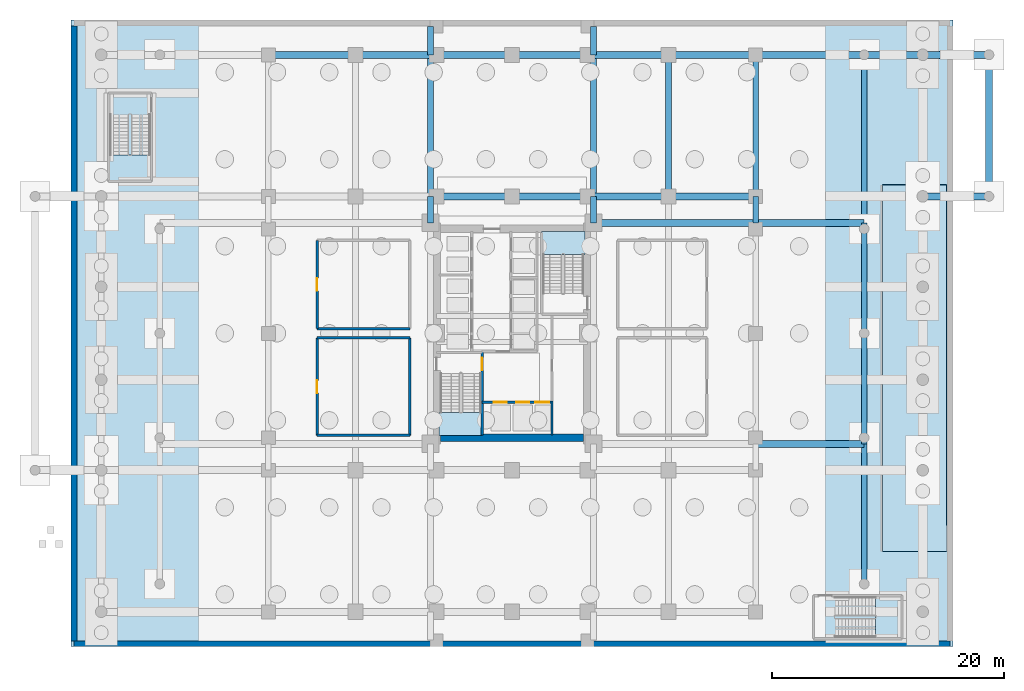
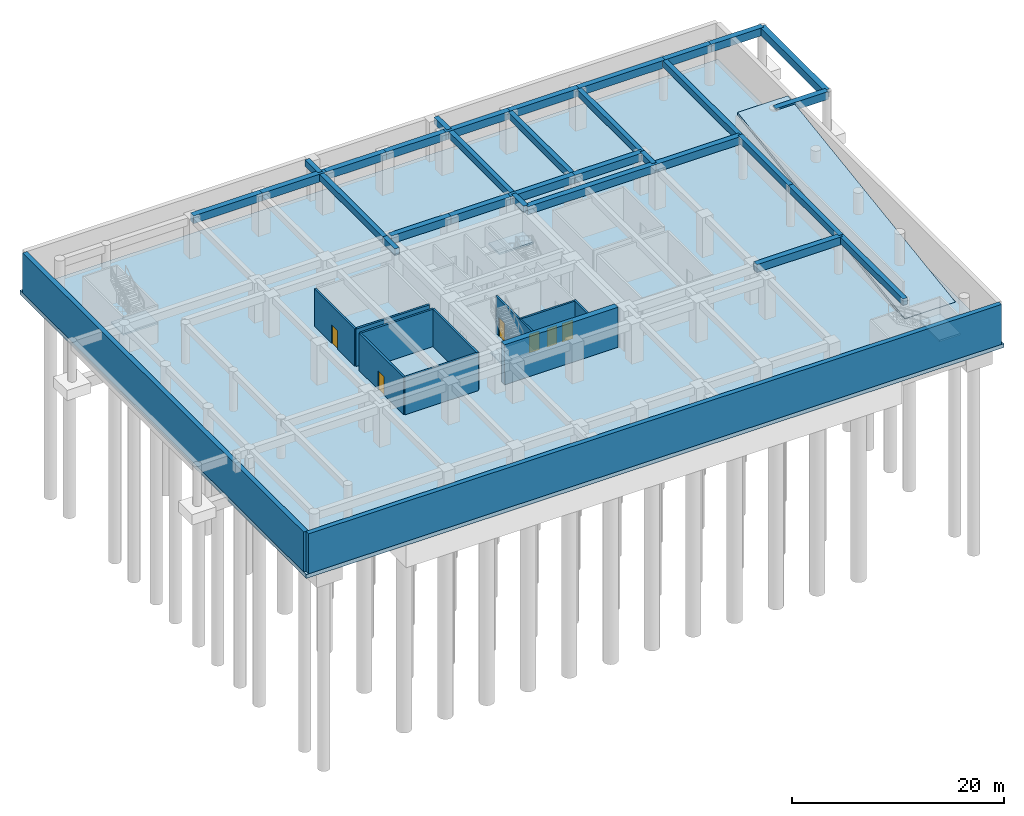
# One storey, part 3 of 14: 31 beams, 12 walls, 6 doors, 6 slabs, 6 openings, 4 elements without a shape of their own.
"""IFC4 building model written with IfcOpenShell, lengths in metres."""

from ifc_helpers import new_model, si_unit, direction, frame, frame_2d, origin, origin_2d, place, context, subcontext, project, spatial, polyline, rectangle, outline, extrude, source, transform, mapped, material, layer, layer_set, material_profile, profile_set, type_object, element, fill, aggregate, save


model = new_model("IFC4")

# Units and contexts
model_context = context("Model", 3, precision=1e-05, world=origin(), true_north=direction((0.0, 1.0)))
body_context = subcontext(model_context, "Body", "Model", "MODEL_VIEW")
ifc_project = project(units=[si_unit("LENGTHUNIT", "METRE"), si_unit("AREAUNIT", "SQUARE_METRE"), si_unit("VOLUMEUNIT", "CUBIC_METRE"), si_unit("PLANEANGLEUNIT", "RADIAN"), si_unit("MASSUNIT", "GRAM", prefix="KILO")], contexts=[model_context])

# Site, building, storey
site_placement = place(None, origin())
site = spatial("IfcSite", under=ifc_project, at=site_placement, CompositionType="ELEMENT")
building_placement = place(site_placement, origin())
building = spatial("IfcBuilding", under=site, at=building_placement, Name="Saelheon Loggia Tower", CompositionType="ELEMENT")
storey_placement = place(building_placement, frame((0.0, 0.0, -9.199951171875)))
storey = spatial("IfcBuildingStorey", under=building, at=storey_placement, Name="B2", CompositionType="ELEMENT", Elevation=-9.199951171875)

# Beams
ifc_material_1 = material(Name="Concrete C50/60", Category="concrete")
ifc_material_profile_1 = material_profile(ifc_material_1, rectangle(XDim=0.60009765625, YDim=0.89990234375, at=origin_2d()), Name="RC-600x900")
ifc_profile_set_1 = profile_set([ifc_material_profile_1], Name="Concrete C50/60")
beam_type_1 = type_object("IfcBeamType", Name="Beam_PorticoSub_RC600x900", PredefinedType="BEAM", material=ifc_profile_set_1)
shared_shape_1 = source(origin(), body_context, "Body", "SweptSolid", [
    extrude(rectangle(XDim=0.60009765625, YDim=0.89990234375, at=origin_2d()), origin(), (0.0, 0.0, 1.0), 5.7001953125),
])
for number, where, z_axis, x_axis, name in (
    (1, (73.39990234375, 38.800048828125, 4.14990234375), (1.0, 0.0, 0.0), (0.0, 1.0, 0.0), "BM-B2-PRTE-S"),
    (2, (73.39990234375, 51.0, 4.14990234375), (1.0, 0.0, 0.0), (0.0, 1.0, 0.0), "BM-B2-PRTE-N"),
):
    element("IfcBeam", number, at=place(storey_placement, frame(where, z_axis=z_axis, x_axis=x_axis)), inside=storey, type_object=beam_type_1, Name=name, PredefinedType="BEAM", context=body_context, shape_type="MappedRepresentation", body=[
        mapped(shared_shape_1, transform((0.0, 0.0, 0.0), scale=1.0)),
    ])
shared_shape_2 = source(origin(), body_context, "Body", "SweptSolid", [
    extrude(rectangle(XDim=0.60009765625, YDim=0.89990234375, at=origin_2d()), origin(), (0.0, 0.0, 1.0), 12.199951171875),
])
beam_1_placement = place(storey_placement, frame((79.10009765625, 38.800048828125, 4.14990234375), z_axis=(0.0, 1.0, 0.0), x_axis=(-1.0, 0.0, 0.0)))
element("IfcBeam", 3, at=beam_1_placement, inside=storey, type_object=beam_type_1, Name="BM-B2-PRTE-E", PredefinedType="BEAM", context=body_context, shape_type="MappedRepresentation", body=[
    mapped(shared_shape_2, transform((0.0, 0.0, 0.0), scale=1.0)),
])
ifc_material_profile_2 = material_profile(ifc_material_1, rectangle(XDim=0.60009765625, YDim=0.89990234375, at=origin_2d()), Name="RC-600x900")
ifc_profile_set_2 = profile_set([ifc_material_profile_2], Name="Concrete C50/60")
beam_type_2 = type_object("IfcBeamType", Name="Beam_MainGirder_RC600x900", PredefinedType="BEAM", material=ifc_profile_set_2)
shared_shape_3 = source(origin(), body_context, "Body", "SweptSolid", [
    extrude(rectangle(XDim=0.60009765625, YDim=0.89990234375, at=origin_2d()), origin(), (0.0, 0.0, 1.0), 7.5),
])
for number, where, z_axis, x_axis, name in (
    (4, (51.5, 38.800048828125, 4.14990234375), (1.0, 0.0, 0.0), (0.0, 1.0, 0.0), "BM-B2-EW-38-7"),
    (5, (17.0, 51.0, 4.14990234375), (1.0, 0.0, 0.0), (0.0, 1.0, 0.0), "BM-B2-EW-51-3"),
    (6, (51.5, 51.0, 4.14990234375), (1.0, 0.0, 0.0), (0.0, 1.0, 0.0), "BM-B2-EW-51-8"),
):
    element("IfcBeam", number, at=place(storey_placement, frame(where, z_axis=z_axis, x_axis=x_axis)), inside=storey, type_object=beam_type_2, Name=name, PredefinedType="BEAM", context=body_context, shape_type="MappedRepresentation", body=[
        mapped(shared_shape_3, transform((0.0, 0.0, 0.0), scale=1.0)),
    ])
shared_shape_4 = source(origin(), body_context, "Body", "SweptSolid", [
    extrude(rectangle(XDim=0.60009765625, YDim=0.89990234375, at=origin_2d()), origin(), (0.0, 0.0, 1.0), 7.0),
])
for number, where, z_axis, x_axis, name in (
    (7, (44.5, 38.800048828125, 4.14990234375), (1.0, 0.0, 0.0), (0.0, 1.0, 0.0), "BM-B2-EW-38-6"),
    (8, (24.5, 51.0, 4.14990234375), (1.0, 0.0, 0.0), (0.0, 1.0, 0.0), "BM-B2-EW-51-4"),
    (9, (44.5, 51.0, 4.14990234375), (1.0, 0.0, 0.0), (0.0, 1.0, 0.0), "BM-B2-EW-51-7"),
):
    element("IfcBeam", number, at=place(storey_placement, frame(where, z_axis=z_axis, x_axis=x_axis)), inside=storey, type_object=beam_type_2, Name=name, PredefinedType="BEAM", context=body_context, shape_type="MappedRepresentation", body=[
        mapped(shared_shape_4, transform((0.0, 0.0, 0.0), scale=1.0)),
    ])
shared_shape_5 = source(origin(), body_context, "Body", "SweptSolid", [
    extrude(rectangle(XDim=0.60009765625, YDim=0.89990234375, at=origin_2d()), origin(), (0.0, 0.0, 1.0), 6.5),
])
for number, where, z_axis, x_axis, name in (
    (10, (31.5, 38.800048828125, 4.14990234375), (1.0, 0.0, 0.0), (0.0, 1.0, 0.0), "BM-B2-EW-38-4"),
    (11, (38.0, 38.800048828125, 4.14990234375), (1.0, 0.0, 0.0), (0.0, 1.0, 0.0), "BM-B2-EW-38-5"),
    (12, (31.5, 51.0, 4.14990234375), (1.0, 0.0, 0.0), (0.0, 1.0, 0.0), "BM-B2-EW-51-5"),
    (13, (38.0, 51.0, 4.14990234375), (1.0, 0.0, 0.0), (0.0, 1.0, 0.0), "BM-B2-EW-51-6"),
):
    element("IfcBeam", number, at=place(storey_placement, frame(where, z_axis=z_axis, x_axis=x_axis)), inside=storey, type_object=beam_type_2, Name=name, PredefinedType="BEAM", context=body_context, shape_type="MappedRepresentation", body=[
        mapped(shared_shape_5, transform((0.0, 0.0, 0.0), scale=1.0)),
    ])
shared_shape_6 = source(origin(), body_context, "Body", "SweptSolid", [
    extrude(rectangle(XDim=0.60009765625, YDim=0.89990234375, at=origin_2d()), origin(), (0.0, 0.0, 1.0), 5.0498046875),
])
beam_2_placement = place(storey_placement, frame((68.35009765625, 51.0, 4.14990234375), z_axis=(1.0, 0.0, 0.0), x_axis=(0.0, 1.0, 0.0)))
element("IfcBeam", 14, at=beam_2_placement, inside=storey, type_object=beam_type_2, Name="BM-B2-EW-51-10", PredefinedType="BEAM", context=body_context, shape_type="MappedRepresentation", body=[
    mapped(shared_shape_6, transform((0.0, 0.0, 0.0), scale=1.0)),
])
shared_shape_7 = source(origin(), body_context, "Body", "SweptSolid", [
    extrude(rectangle(XDim=0.60009765625, YDim=0.89990234375, at=origin_2d()), origin(), (0.0, 0.0, 1.0), 9.35009765625),
])
for number, where, z_axis, x_axis, name in (
    (15, (59.0, 51.0, 4.14990234375), (1.0, 0.0, 0.0), (0.0, 1.0, 0.0), "BM-B2-EW-51-9"),
    (16, (59.0, 17.47998046875, 4.14990234375), (1.0, 0.0, 0.0), (0.0, 1.0, 0.0), "BM-B2-CT-17-E1"),
    (17, (59.0, 36.52001953125, 4.14990234375), (1.0, 0.0, 0.0), (0.0, 1.0, 0.0), "BM-B2-CT-36-E1"),
):
    element("IfcBeam", number, at=place(storey_placement, frame(where, z_axis=z_axis, x_axis=x_axis)), inside=storey, type_object=beam_type_2, Name=name, PredefinedType="BEAM", context=body_context, shape_type="MappedRepresentation", body=[
        mapped(shared_shape_7, transform((0.0, 0.0, 0.0), scale=1.0)),
    ])
shared_shape_8 = source(origin(), body_context, "Body", "SweptSolid", [
    extrude(rectangle(XDim=0.60009765625, YDim=0.89990234375, at=origin_2d()), origin(), (0.0, 0.0, 1.0), 13.97998046875),
])
beam_3_placement = place(storey_placement, frame((45.02001953125, 36.52001953125, 4.14990234375), z_axis=(1.0, 0.0, 0.0), x_axis=(0.0, 1.0, 0.0)))
element("IfcBeam", 18, at=beam_3_placement, inside=storey, type_object=beam_type_2, Name="BM-B2-CT-36-E2", PredefinedType="BEAM", context=body_context, shape_type="MappedRepresentation", body=[
    mapped(shared_shape_8, transform((0.0, 0.0, 0.0), scale=1.0)),
])
ifc_material_2 = material(Name="Concrete C45/55", Category="concrete")
ifc_material_profile_3 = material_profile(ifc_material_2, rectangle(XDim=0.5, YDim=0.75, at=origin_2d()), Name="RC-500x750")
ifc_profile_set_3 = profile_set([ifc_material_profile_3], Name="Concrete C45/55")
beam_type_3 = type_object("IfcBeamType", Name="Beam_FloorGirder_RC500x750", PredefinedType="BEAM", material=ifc_profile_set_3)
shared_shape_9 = source(origin(), body_context, "Body", "SweptSolid", [
    extrude(rectangle(XDim=0.5, YDim=0.75, at=origin_2d()), origin(), (0.0, 0.0, 1.0), 12.199951171875),
])
for number, where, z_axis, x_axis, name in (
    (19, (30.97998046875, 38.800048828125, 4.224853515625), (0.0, 1.0, 0.0), (-1.0, 0.0, 0.0), "BM-B2-NS-30-6"),
    (20, (45.02001953125, 38.800048828125, 4.224853515625), (0.0, 1.0, 0.0), (-1.0, 0.0, 0.0), "BM-B2-NS-45-6"),
    (21, (51.5, 38.800048828125, 4.224853515625), (0.0, 1.0, 0.0), (-1.0, 0.0, 0.0), "BM-B2-NS-51-3"),
    (22, (59.0, 38.800048828125, 4.224853515625), (0.0, 1.0, 0.0), (-1.0, 0.0, 0.0), "BM-B2-NS-59-6"),
):
    element("IfcBeam", number, at=place(storey_placement, frame(where, z_axis=z_axis, x_axis=x_axis)), inside=storey, type_object=beam_type_3, Name=name, PredefinedType="BEAM", context=body_context, shape_type="MappedRepresentation", body=[
        mapped(shared_shape_9, transform((0.0, 0.0, 0.0), scale=1.0)),
    ])
shared_shape_10 = source(origin(), body_context, "Body", "SweptSolid", [
    extrude(rectangle(XDim=0.5, YDim=0.75, at=origin_2d()), origin(), (0.0, 0.0, 1.0), 12.080078125),
])
beam_4_placement = place(storey_placement, frame((68.35009765625, 5.39990234375, 4.224853515625), z_axis=(0.0, 1.0, 0.0), x_axis=(-1.0, 0.0, 0.0)))
element("IfcBeam", 23, at=beam_4_placement, inside=storey, type_object=beam_type_3, Name="BM-B2-NS-68-1", PredefinedType="BEAM", context=body_context, shape_type="MappedRepresentation", body=[
    mapped(shared_shape_10, transform((0.0, 0.0, 0.0), scale=1.0)),
])
shared_shape_11 = source(origin(), body_context, "Body", "SweptSolid", [
    extrude(rectangle(XDim=0.5, YDim=0.75, at=origin_2d()), origin(), (0.0, 0.0, 1.0), 9.52001953125),
])
for number, where, z_axis, x_axis, name in (
    (24, (68.35009765625, 17.47998046875, 4.224853515625), (0.0, 1.0, 0.0), (-1.0, 0.0, 0.0), "BM-B2-NS-68-2"),
    (25, (68.35009765625, 27.0, 4.224853515625), (0.0, 1.0, 0.0), (-1.0, 0.0, 0.0), "BM-B2-NS-68-3"),
):
    element("IfcBeam", number, at=place(storey_placement, frame(where, z_axis=z_axis, x_axis=x_axis)), inside=storey, type_object=beam_type_3, Name=name, PredefinedType="BEAM", context=body_context, shape_type="MappedRepresentation", body=[
        mapped(shared_shape_11, transform((0.0, 0.0, 0.0), scale=1.0)),
    ])
shared_shape_12 = source(origin(), body_context, "Body", "SweptSolid", [
    extrude(rectangle(XDim=0.5, YDim=0.75, at=origin_2d()), origin(), (0.0, 0.0, 1.0), 2.280029296875),
])
for number, where, z_axis, x_axis, name in (
    (26, (30.97998046875, 36.52001953125, 4.224853515625), (0.0, 1.0, 0.0), (-1.0, 0.0, 0.0), "BM-B2-NS-30-5"),
    (27, (45.02001953125, 36.52001953125, 4.224853515625), (0.0, 1.0, 0.0), (-1.0, 0.0, 0.0), "BM-B2-NS-45-5"),
    (28, (59.0, 36.52001953125, 4.224853515625), (0.0, 1.0, 0.0), (-1.0, 0.0, 0.0), "BM-B2-NS-59-5"),
):
    element("IfcBeam", number, at=place(storey_placement, frame(where, z_axis=z_axis, x_axis=x_axis)), inside=storey, type_object=beam_type_3, Name=name, PredefinedType="BEAM", context=body_context, shape_type="MappedRepresentation", body=[
        mapped(shared_shape_12, transform((0.0, 0.0, 0.0), scale=1.0)),
    ])
shared_shape_13 = source(origin(), body_context, "Body", "SweptSolid", [
    extrude(rectangle(XDim=0.5, YDim=0.75, at=origin_2d()), origin(), (0.0, 0.0, 1.0), 2.449951171875),
])
for number, where, z_axis, x_axis, name in (
    (29, (30.97998046875, 51.0, 4.224853515625), (0.0, 1.0, 0.0), (-1.0, 0.0, 0.0), "BM-B2-NS-30-7"),
    (30, (45.02001953125, 51.0, 4.224853515625), (0.0, 1.0, 0.0), (-1.0, 0.0, 0.0), "BM-B2-NS-45-7"),
):
    element("IfcBeam", number, at=place(storey_placement, frame(where, z_axis=z_axis, x_axis=x_axis)), inside=storey, type_object=beam_type_3, Name=name, PredefinedType="BEAM", context=body_context, shape_type="MappedRepresentation", body=[
        mapped(shared_shape_13, transform((0.0, 0.0, 0.0), scale=1.0)),
    ])
shared_shape_14 = source(origin(), body_context, "Body", "SweptSolid", [
    extrude(rectangle(XDim=0.5, YDim=0.75, at=origin_2d()), origin(), (0.0, 0.0, 1.0), 14.47998046875),
])
beam_5_placement = place(storey_placement, frame((68.35009765625, 36.52001953125, 4.224853515625), z_axis=(0.0, 1.0, 0.0), x_axis=(-1.0, 0.0, 0.0)))
element("IfcBeam", 31, at=beam_5_placement, inside=storey, type_object=beam_type_3, Name="BM-B2-NS-68-4", PredefinedType="BEAM", context=body_context, shape_type="MappedRepresentation", body=[
    mapped(shared_shape_14, transform((0.0, 0.0, 0.0), scale=1.0)),
])

# Slabs
ifc_material_3 = material(Name="Concrete C40/50", Category="concrete")
ifc_layer_1 = layer(ifc_material_3, 0.449951171875)
ifc_layer_set_1 = layer_set([ifc_layer_1], Name="Concrete C40/50")
slab_type_1 = type_object("IfcSlabType", Name="Slab_Base_450", PredefinedType="BASESLAB", material=ifc_layer_set_1)
slab_1_placement = place(storey_placement, frame((0.0, 0.0, -0.449951171875)))
element("IfcSlab", 32, at=slab_1_placement, inside=storey, type_object=slab_type_1, Name="B2 Basement Structural Slab", PredefinedType="BASESLAB", context=body_context, shape_type="SweptSolid", body=[
    extrude(outline(polyline([(0.0, 0.0), (76.0, 0.0), (76.0, 54.0), (0.0, 54.0), (0.0, 0.0)]), holes=[polyline([(69.929931640625, 8.219970703125), (75.469970703125, 8.219970703125), (75.469970703125, 10.449951171875), (69.929931640625, 10.449951171875), (69.929931640625, 8.219970703125)])]), origin(), (0.0, 0.0, 1.0), 0.449951171875),
])
ifc_layer_2 = layer(ifc_material_3, 0.300048828125)
ifc_layer_set_2 = layer_set([ifc_layer_2], Name="Concrete C40/50")
slab_type_2 = type_object("IfcSlabType", Name="Slab_Ramp_Veh_300", PredefinedType="FLOOR", material=ifc_layer_set_2)
slab_2_placement = place(storey_placement, frame((69.949951171875, 8.199951171875, 0.0), z_axis=(0.0, -0.14404643209, 0.98957092995), x_axis=(1.0, 0.0, 0.0)))
element("IfcSlab", 33, at=slab_2_placement, inside=storey, type_object=slab_type_2, Name="R1 Vehicle Ramp Structural Slab", PredefinedType="FLOOR", context=body_context, shape_type="SweptSolid", body=[
    extrude(outline(polyline([(0.0, 0.0), (5.5, 0.0), (5.5, 31.93313051126908), (0.0, 31.93313051126908), (0.0, 0.0)])), origin(), (0.0, 0.0, -1.0), 0.300048828125),
])

# Stair, slab
stair_type_1 = type_object("IfcStairType", Name="Stair_Escape_Core", PredefinedType="HALF_TURN_STAIR", material=ifc_material_3)
stair_1_placement = place(storey_placement, origin())
stair_1 = element("IfcStair", 34, at=stair_1_placement, inside=storey, type_object=stair_type_1, Name="B2 Special Escape Stair ST1", PredefinedType="HALF_TURN_STAIR")
ifc_layer_3 = layer(ifc_material_3, 0.199951171875)
ifc_layer_set_3 = layer_set([ifc_layer_3], Name="Concrete C40/50")
slab_type_3 = type_object("IfcSlabType", Name="Slab_StairLanding_ST1", PredefinedType="LANDING", material=ifc_layer_set_3)
slab_3_placement = place(storey_placement, frame((0.0, 0.0, 2.099853515625)))
slab_3 = element("IfcSlab", 35, at=slab_3_placement, type_object=slab_type_3, Name="ST1 landing 1", PredefinedType="LANDING", context=body_context, shape_type="SweptSolid", body=[
    extrude(outline(polyline([(31.7099609375, 20.18994140625), (31.7099609375, 18.2099609375), (35.469970703125, 18.2099609375), (35.469970703125, 20.18994140625), (31.7099609375, 20.18994140625)])), origin(), (0.0, 0.0, 1.0), 0.2001953125),
])
aggregate(stair_1, [slab_3])

stair_2_placement = place(storey_placement, origin())
stair_2 = element("IfcStair", 36, at=stair_2_placement, inside=storey, type_object=stair_type_1, Name="B2 Special Escape Stair ST2", PredefinedType="HALF_TURN_STAIR")
ifc_layer_4 = layer(ifc_material_3, 0.199951171875)
ifc_layer_set_4 = layer_set([ifc_layer_4], Name="Concrete C40/50")
slab_type_4 = type_object("IfcSlabType", Name="Slab_StairLanding_ST2", PredefinedType="LANDING", material=ifc_layer_set_4)
slab_4_placement = place(storey_placement, frame((0.0, 0.0, 2.099853515625)))
slab_4 = element("IfcSlab", 37, at=slab_4_placement, type_object=slab_type_4, Name="ST2 landing 1", PredefinedType="LANDING", context=body_context, shape_type="SweptSolid", body=[
    extrude(outline(polyline([(44.2900390625, 33.81005859375), (44.2900390625, 35.7900390625), (40.530029296875, 35.7900390625), (40.530029296875, 33.81005859375), (44.2900390625, 33.81005859375)])), origin(), (0.0, 0.0, 1.0), 0.2001953125),
])
aggregate(stair_2, [slab_4])

stair_type_2 = type_object("IfcStairType", Name="Stair_Escape_Podium", PredefinedType="HALF_TURN_STAIR", material=ifc_material_3)
stair_3_placement = place(storey_placement, origin())
stair_3 = element("IfcStair", 38, at=stair_3_placement, inside=storey, type_object=stair_type_2, Name="B2 Podium Escape Stair ST3", PredefinedType="HALF_TURN_STAIR")
ifc_layer_5 = layer(ifc_material_3, 0.199951171875)
ifc_layer_set_5 = layer_set([ifc_layer_5], Name="Concrete C40/50")
slab_type_5 = type_object("IfcSlabType", Name="Slab_StairLanding_ST3", PredefinedType="LANDING", material=ifc_layer_set_5)
slab_5_placement = place(storey_placement, frame((0.0, 0.0, 2.099853515625)))
slab_5 = element("IfcSlab", 39, at=slab_5_placement, type_object=slab_type_5, Name="ST3 landing 1", PredefinedType="LANDING", context=body_context, shape_type="SweptSolid", body=[
    extrude(outline(polyline([(3.2099609375, 42.3701171875), (3.2099609375, 40.06005859375), (6.969970703125, 40.06005859375), (6.969970703125, 42.3701171875), (3.2099609375, 42.3701171875)])), origin(), (0.0, 0.0, 1.0), 0.2001953125),
])
aggregate(stair_3, [slab_5])

stair_4_placement = place(storey_placement, origin())
stair_4 = element("IfcStair", 40, at=stair_4_placement, inside=storey, type_object=stair_type_2, Name="B2 Podium Escape Stair ST4", PredefinedType="HALF_TURN_STAIR")
ifc_layer_6 = layer(ifc_material_3, 0.199951171875)
ifc_layer_set_6 = layer_set([ifc_layer_6], Name="Concrete C40/50")
slab_type_6 = type_object("IfcSlabType", Name="Slab_StairLanding_ST4", PredefinedType="LANDING", material=ifc_layer_set_6)
slab_6_placement = place(storey_placement, frame((0.0, 0.0, 2.099853515625)))
slab_6 = element("IfcSlab", 41, at=slab_6_placement, type_object=slab_type_6, Name="ST4 landing 1", PredefinedType="LANDING", context=body_context, shape_type="SweptSolid", body=[
    extrude(outline(polyline([(69.330078125, 0.659912109375), (71.639892578125, 0.659912109375), (71.639892578125, 4.419921875), (69.330078125, 4.419921875), (69.330078125, 0.659912109375)])), origin(), (0.0, 0.0, 1.0), 0.2001953125),
])
aggregate(stair_4, [slab_6])

# Walls
ifc_material_4 = material(Name="Concrete C60/75", Category="concrete")
ifc_layer_7 = layer(ifc_material_4, 0.64990234375)
ifc_layer_set_7 = layer_set([ifc_layer_7], Name="Concrete C60/75")
wall_type_1 = type_object("IfcWallType", Name="Wall_CoreShear_650", PredefinedType="SHEAR", material=ifc_layer_set_7)
wall_1_placement = place(storey_placement, frame((31.824951171875, 18.0, 0.0), z_axis=(0.0, 0.0, 1.0), x_axis=(1.0, 0.0, 0.0)))
element("IfcWall", 42, at=wall_1_placement, inside=storey, type_object=wall_type_1, Name="B2 Core Shear Wall South", PredefinedType="SHEAR", context=body_context, shape_type="SweptSolid", body=[
    extrude(rectangle(XDim=12.35009765625, YDim=0.64990234375, at=frame_2d((6.175048828125, 0.0))), origin(), (0.0, 0.0, 1.0), 4.599853515625),
])
ifc_layer_8 = layer(ifc_material_3, 0.219970703125)
ifc_layer_set_8 = layer_set([ifc_layer_8], Name="Concrete C40/50")
wall_type_2 = type_object("IfcWallType", Name="Wall_PlantBlock_220", PredefinedType="PARTITIONING", material=ifc_layer_set_8)
for number, where, z_axis, x_axis, name in (
    (43, (21.199951171875, 18.199951171875, 0.0), (0.0, 0.0, 1.0), (1.0, 0.0, 0.0), "B2 Central Chiller and Geothermal Plant Room South Wall"),
    (44, (21.199951171875, 26.60009765625, 0.0), (0.0, 0.0, 1.0), (1.0, 0.0, 0.0), "B2 Central Chiller and Geothermal Plant Room North Wall"),
):
    element("IfcWall", number, at=place(storey_placement, frame(where, z_axis=z_axis, x_axis=x_axis)), inside=storey, type_object=wall_type_2, Name=name, PredefinedType="PARTITIONING", context=body_context, shape_type="SweptSolid", body=[
        extrude(rectangle(XDim=8.0, YDim=0.219970703125, at=frame_2d((4.0, 0.0))), origin(), (0.0, 0.0, 1.0), 4.300048828125),
    ])

# Wall, opening, door
wall_2_placement = place(storey_placement, frame((21.199951171875, 18.199951171875, 0.0), z_axis=(0.0, 0.0, 1.0), x_axis=(0.0, 1.0, 0.0)))
wall_2 = element("IfcWall", 45, at=wall_2_placement, inside=storey, type_object=wall_type_2, Name="B2 Central Chiller and Geothermal Plant Room West Wall", PredefinedType="PARTITIONING", context=body_context, shape_type="SweptSolid", body=[
    extrude(rectangle(XDim=8.400146484375, YDim=0.219970703125, at=frame_2d((4.2001953125, 0.0))), origin(), (0.0, 0.0, 1.0), 4.300048828125),
])
opening_1_placement = place(wall_2_placement, frame((3.64990234375, 0.0, 0.0)))
opening_1 = element("IfcOpeningElement", 46, at=opening_1_placement, cuts=wall_2, Name="Opening D-FD2", PredefinedType="OPENING", context=body_context, shape_type="SweptSolid", body=[
    extrude(rectangle(XDim=1.10009765625, YDim=2.14990234375, at=frame_2d((0.550048828125, 1.074951171875))), frame((0.0, 0.1220703125, 0.0), z_axis=(0.0, -1.0, 0.0), x_axis=(1.0, 0.0, 0.0)), (0.0, 0.0, 1.0), 0.243896484375),
])
ifc_material_5 = material(Name="Galvanised Steel Fire Door", Category="steel")
door_type_1 = type_object("IfcDoorType", Name="Door_Fire_FD60_1100", OperationType="NOTDEFINED", PredefinedType="DOOR", material=ifc_material_5)
shared_shape_15 = source(origin(), body_context, "Body", "SweptSolid", [
    extrude(rectangle(XDim=1.10009765625, YDim=2.14990234375, at=frame_2d((0.550048828125, 1.074951171875))), frame((0.0, 0.02490234375, 0.0), z_axis=(0.0, -1.0, 0.0), x_axis=(1.0, 0.0, 0.0)), (0.0, 0.0, 1.0), 0.050048828125),
])
door_1_placement = place(opening_1_placement, origin())
door_1 = element("IfcDoor", 47, at=door_1_placement, inside=storey, type_object=door_type_1, Name="B2 Central Chiller and Geothermal Plant Room Door", OperationType="SINGLE_SWING_RIGHT", OverallHeight=2.14990234375, OverallWidth=1.10009765625, PredefinedType="DOOR", context=body_context, shape_type="MappedRepresentation", body=[
    mapped(shared_shape_15, transform((0.0, 0.0, 0.0), scale=1.0)),
])
fill(opening_1, door_1)

# Walls
wall_3_placement = place(storey_placement, frame((29.199951171875, 18.199951171875, 0.0), z_axis=(0.0, 0.0, 1.0), x_axis=(0.0, 1.0, 0.0)))
element("IfcWall", 48, at=wall_3_placement, inside=storey, type_object=wall_type_2, Name="B2 Central Chiller and Geothermal Plant Room East Wall", PredefinedType="PARTITIONING", context=body_context, shape_type="SweptSolid", body=[
    extrude(rectangle(XDim=8.400146484375, YDim=0.219970703125, at=frame_2d((4.2001953125, 0.0))), origin(), (0.0, 0.0, 1.0), 4.300048828125),
])
wall_4_placement = place(storey_placement, frame((21.199951171875, 27.39990234375, 0.0), z_axis=(0.0, 0.0, 1.0), x_axis=(1.0, 0.0, 0.0)))
element("IfcWall", 49, at=wall_4_placement, inside=storey, type_object=wall_type_2, Name="B2 Fire Sprinkler and Domestic Water Tank Room South Wall", PredefinedType="PARTITIONING", context=body_context, shape_type="SweptSolid", body=[
    extrude(rectangle(XDim=8.0, YDim=0.219970703125, at=frame_2d((4.0, 0.0))), origin(), (0.0, 0.0, 1.0), 4.300048828125),
])

# Wall, opening, door
wall_5_placement = place(storey_placement, frame((21.199951171875, 27.39990234375, 0.0), z_axis=(0.0, 0.0, 1.0), x_axis=(0.0, 1.0, 0.0)))
wall_5 = element("IfcWall", 50, at=wall_5_placement, inside=storey, type_object=wall_type_2, Name="B2 Fire Sprinkler and Domestic Water Tank Room West Wall", PredefinedType="PARTITIONING", context=body_context, shape_type="SweptSolid", body=[
    extrude(rectangle(XDim=7.60009765625, YDim=0.219970703125, at=frame_2d((3.800048828125, 0.0))), origin(), (0.0, 0.0, 1.0), 4.300048828125),
])
opening_2_placement = place(wall_5_placement, frame((3.25, 0.0, 0.0)))
opening_2 = element("IfcOpeningElement", 51, at=opening_2_placement, cuts=wall_5, Name="Opening D-FD2", PredefinedType="OPENING", context=body_context, shape_type="SweptSolid", body=[
    extrude(rectangle(XDim=1.10009765625, YDim=2.14990234375, at=frame_2d((0.550048828125, 1.074951171875))), frame((0.0, 0.1220703125, 0.0), z_axis=(0.0, -1.0, 0.0), x_axis=(1.0, 0.0, 0.0)), (0.0, 0.0, 1.0), 0.243896484375),
])
door_2_placement = place(opening_2_placement, origin())
door_2 = element("IfcDoor", 52, at=door_2_placement, inside=storey, type_object=door_type_1, Name="B2 Fire Sprinkler and Domestic Water Tank Room Door", OperationType="SINGLE_SWING_LEFT", OverallHeight=2.14990234375, OverallWidth=1.10009765625, PredefinedType="DOOR", context=body_context, shape_type="MappedRepresentation", body=[
    mapped(shared_shape_15, transform((0.0, 0.0, 0.0), scale=1.0)),
])
fill(opening_2, door_2)

# Walls
ifc_layer_9 = layer(ifc_material_3, 0.5)
ifc_layer_set_9 = layer_set([ifc_layer_9], Name="Concrete C40/50")
wall_type_3 = type_object("IfcWallType", Name="Wall_Retaining_500", PredefinedType="USERDEFINED", material=ifc_layer_set_9)
wall_6_placement = place(storey_placement, frame((0.25, 0.25, 0.0), z_axis=(0.0, 0.0, 1.0), x_axis=(1.0, 0.0, 0.0)))
element("IfcWall", 53, at=wall_6_placement, inside=storey, type_object=wall_type_3, Name="B2 Basement Retaining Wall S", ObjectType="RETAININGWALL", PredefinedType="USERDEFINED", context=body_context, shape_type="SweptSolid", body=[
    extrude(rectangle(XDim=75.5, YDim=0.5, at=frame_2d((37.75, 0.0))), origin(), (0.0, 0.0, 1.0), 4.599853515625),
])
wall_7_placement = place(storey_placement, frame((0.25, 53.5, 0.0), z_axis=(0.0, 0.0, 1.0), x_axis=(0.0, -1.0, 0.0)))
element("IfcWall", 54, at=wall_7_placement, inside=storey, type_object=wall_type_3, Name="B2 Basement Retaining Wall W", ObjectType="RETAININGWALL", PredefinedType="USERDEFINED", context=body_context, shape_type="SweptSolid", body=[
    extrude(rectangle(XDim=53.0, YDim=0.5, at=frame_2d((26.5, 0.0))), origin(), (0.0, 0.0, 1.0), 4.599853515625),
])
ifc_layer_10 = layer(ifc_material_3, 0.199951171875)
ifc_layer_set_10 = layer_set([ifc_layer_10], Name="Concrete C40/50")
wall_type_4 = type_object("IfcWallType", Name="Wall_Shaft_200", PredefinedType="PARTITIONING", material=ifc_layer_set_10)
wall_8_placement = place(storey_placement, frame((41.449951171875, 18.219970703125, 0.0), z_axis=(0.0, 0.0, 1.0), x_axis=(0.0, 1.0, 0.0)))
element("IfcWall", 55, at=wall_8_placement, inside=storey, type_object=wall_type_4, Name="CW-INT-B2-BOH-W0", PredefinedType="PARTITIONING", context=body_context, shape_type="SweptSolid", body=[
    extrude(rectangle(XDim=2.9599609375, YDim=0.199951171875, at=frame_2d((1.47998046875, 0.0))), origin(), (0.0, 0.0, 1.0), 4.300048828125),
])

# Wall, openings, doors
wall_9_placement = place(storey_placement, frame((35.429931640625, 21.06005859375, 0.0), z_axis=(0.0, 0.0, 1.0), x_axis=(1.0, 0.0, 0.0)))
wall_9 = element("IfcWall", 56, at=wall_9_placement, inside=storey, type_object=wall_type_4, Name="B2 Firefighting Lift Shaft Front Wall", PredefinedType="PARTITIONING", context=body_context, shape_type="SweptSolid", body=[
    extrude(rectangle(XDim=6.02001953125, YDim=0.199951171875, at=frame_2d((3.010009765625, 0.0))), origin(), (0.0, 0.0, 1.0), 4.300048828125),
])
opening_3_placement = place(wall_9_placement, frame((1.0, 0.0, 0.0)))
opening_3 = element("IfcOpeningElement", 57, at=opening_3_placement, cuts=wall_9, Name="Opening LD2", PredefinedType="OPENING", context=body_context, shape_type="SweptSolid", body=[
    extrude(rectangle(XDim=1.10009765625, YDim=2.14990234375, at=frame_2d((0.550048828125, 1.074951171875))), frame((0.0, 0.112060546875, 0.0), z_axis=(0.0, -1.0, 0.0), x_axis=(1.0, 0.0, 0.0)), (0.0, 0.0, 1.0), 0.223876953125),
])
opening_4_placement = place(wall_9_placement, frame((2.949951171875, 0.0, 0.0)))
opening_4 = element("IfcOpeningElement", 58, at=opening_4_placement, cuts=wall_9, Name="Opening LD2", PredefinedType="OPENING", context=body_context, shape_type="SweptSolid", body=[
    extrude(rectangle(XDim=1.10009765625, YDim=2.14990234375, at=frame_2d((0.550048828125, 1.074951171875))), frame((0.0, 0.112060546875, 0.0), z_axis=(0.0, -1.0, 0.0), x_axis=(1.0, 0.0, 0.0)), (0.0, 0.0, 1.0), 0.223876953125),
])
opening_5_placement = place(wall_9_placement, frame((4.580078125, 0.0, 0.0)))
opening_5 = element("IfcOpeningElement", 59, at=opening_5_placement, cuts=wall_9, Name="Opening LD3", PredefinedType="OPENING", context=body_context, shape_type="SweptSolid", body=[
    extrude(rectangle(XDim=1.199951171875, YDim=2.14990234375, at=frame_2d((0.60009765625, 1.074951171875))), frame((0.0, 0.112060546875, 0.0), z_axis=(0.0, -1.0, 0.0), x_axis=(1.0, 0.0, 0.0)), (0.0, 0.0, 1.0), 0.223876953125),
])
ifc_material_6 = material(Name="Firefighting Stainless Steel 316 Landing Door", Category="steel")
door_type_2 = type_object("IfcDoorType", Name="Door_Lift_LD2", OperationType="DOUBLE_DOOR_SLIDING", PredefinedType="DOOR", material=ifc_material_6)
door_3_placement = place(opening_3_placement, origin())
door_3 = element("IfcDoor", 60, at=door_3_placement, inside=storey, type_object=door_type_2, Name="B2 FF1 Landing Door", OperationType="DOUBLE_DOOR_SLIDING", OverallHeight=2.14990234375, OverallWidth=1.10009765625, PredefinedType="DOOR", context=body_context, shape_type="MappedRepresentation", body=[
    mapped(shared_shape_15, transform((0.0, 0.0, 0.0), scale=1.0)),
])
fill(opening_3, door_3)
door_4_placement = place(opening_4_placement, origin())
door_4 = element("IfcDoor", 61, at=door_4_placement, inside=storey, type_object=door_type_2, Name="B2 FF2 Landing Door", OperationType="DOUBLE_DOOR_SLIDING", OverallHeight=2.14990234375, OverallWidth=1.10009765625, PredefinedType="DOOR", context=body_context, shape_type="MappedRepresentation", body=[
    mapped(shared_shape_15, transform((0.0, 0.0, 0.0), scale=1.0)),
])
fill(opening_4, door_4)
ifc_material_7 = material(Name="Stretcher Lift Stainless Steel 304 Landing Door", Category="steel")
door_type_3 = type_object("IfcDoorType", Name="Door_Lift_LD3", OperationType="DOUBLE_DOOR_SLIDING", PredefinedType="DOOR", material=ifc_material_7)
shared_shape_16 = source(origin(), body_context, "Body", "SweptSolid", [
    extrude(rectangle(XDim=1.199951171875, YDim=2.14990234375, at=frame_2d((0.60009765625, 1.074951171875))), frame((0.0, 0.02490234375, 0.0), z_axis=(0.0, -1.0, 0.0), x_axis=(1.0, 0.0, 0.0)), (0.0, 0.0, 1.0), 0.050048828125),
])
door_5_placement = place(opening_5_placement, origin())
door_5 = element("IfcDoor", 62, at=door_5_placement, inside=storey, type_object=door_type_3, Name="B2 SV1 Landing Door", OperationType="DOUBLE_DOOR_SLIDING", OverallHeight=2.14990234375, OverallWidth=1.199951171875, PredefinedType="DOOR", context=body_context, shape_type="MappedRepresentation", body=[
    mapped(shared_shape_16, transform((0.0, 0.0, 0.0), scale=1.0)),
])
fill(opening_5, door_5)

# Wall, opening, door
ifc_layer_11 = layer(ifc_material_2, 0.199951171875)
ifc_layer_set_11 = layer_set([ifc_layer_11], Name="Concrete C45/55")
wall_type_5 = type_object("IfcWallType", Name="Wall_StairShaft_RC200", PredefinedType="SOLIDWALL", material=ifc_layer_set_11)
wall_10_placement = place(storey_placement, frame((35.429931640625, 18.219970703125, 0.0), z_axis=(0.0, 0.0, 1.0), x_axis=(0.0, 1.0, 0.0)))
wall_10 = element("IfcWall", 63, at=wall_10_placement, inside=storey, type_object=wall_type_5, Name="B2 Stair ST1 Shaft Wall", PredefinedType="SOLIDWALL", context=body_context, shape_type="SweptSolid", body=[
    extrude(rectangle(XDim=7.219970703125, YDim=0.199951171875, at=frame_2d((3.60986328125, 0.0))), origin(), (0.0, 0.0, 1.0), 4.300048828125),
])
opening_6_placement = place(wall_10_placement, frame((6.68017578125, 0.0, 0.0), z_axis=(0.0, 0.0, 1.0), x_axis=(-1.0, 0.0, 0.0)))
opening_6 = element("IfcOpeningElement", 64, at=opening_6_placement, cuts=wall_10, Name="Opening D-FD2", PredefinedType="OPENING", context=body_context, shape_type="SweptSolid", body=[
    extrude(rectangle(XDim=1.10009765625, YDim=2.14990234375, at=frame_2d((0.550048828125, 1.074951171875))), frame((0.0, 0.112060546875, 0.0), z_axis=(0.0, -1.0, 0.0), x_axis=(1.0, 0.0, 0.0)), (0.0, 0.0, 1.0), 0.223876953125),
])
door_6_placement = place(opening_6_placement, origin())
door_6 = element("IfcDoor", 65, at=door_6_placement, inside=storey, type_object=door_type_1, Name="B2 Stair ST1 Lobby Door", OperationType="SINGLE_SWING_LEFT", OverallHeight=2.14990234375, OverallWidth=1.10009765625, PredefinedType="DOOR", context=body_context, shape_type="MappedRepresentation", body=[
    mapped(shared_shape_15, transform((0.0, 0.0, 0.0), scale=1.0)),
])
fill(opening_6, door_6)

save(model, "model.ifc")
